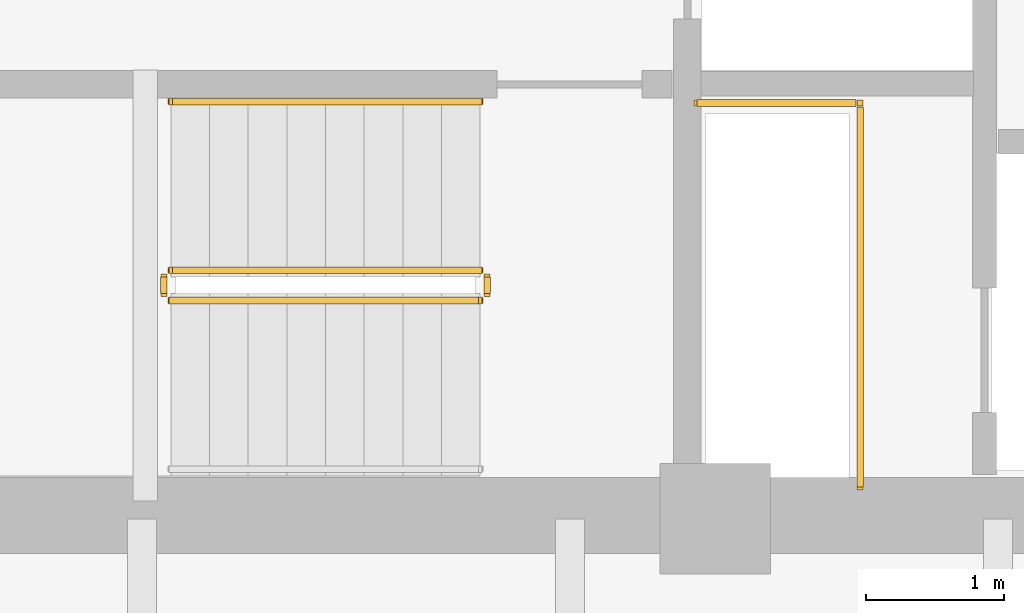
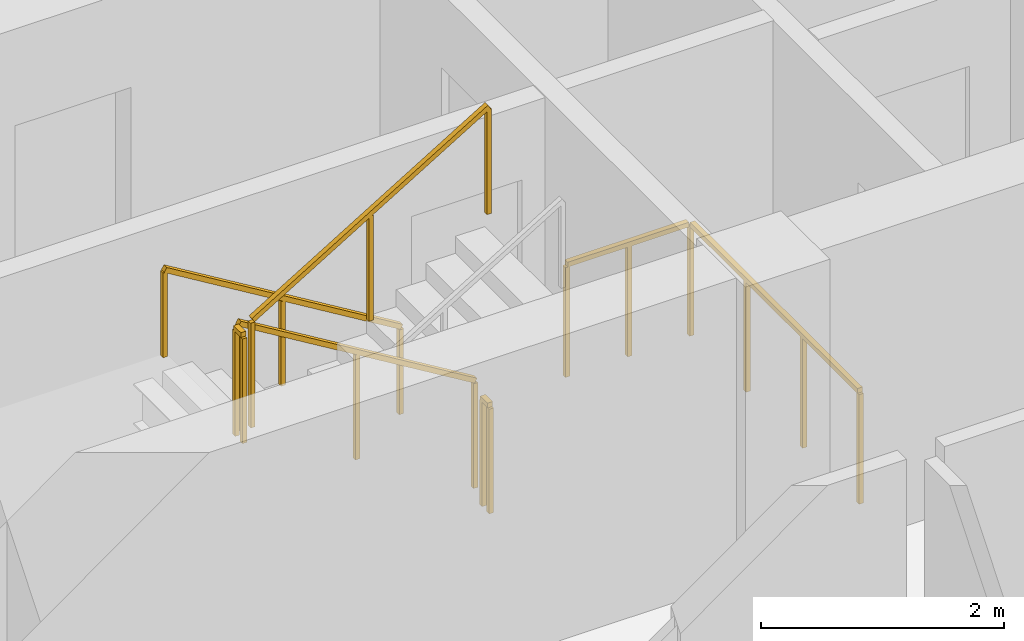
# One storey, part 8 of 12: 6 railings.
"""IFC4 building model written with IfcOpenShell, lengths in metres."""

from ifc_helpers import new_model, si_unit, direction, frame, origin, origin_2d, place, context, subcontext, project, spatial, rectangle, extrude, material, type_object, element, save


model = new_model("IFC4")

# Units and contexts
model_context = context("Model", 3, precision=1e-05, world=origin(), true_north=direction((0.0, 1.0)))
body_context = subcontext(model_context, "Body", "Model", "MODEL_VIEW")
ifc_project = project(units=[si_unit("LENGTHUNIT", "METRE"), si_unit("AREAUNIT", "SQUARE_METRE"), si_unit("VOLUMEUNIT", "CUBIC_METRE"), si_unit("PLANEANGLEUNIT", "RADIAN"), si_unit("MASSUNIT", "GRAM", prefix="KILO")], contexts=[model_context])

# Site, building, storey
site_placement = place(None, origin())
site = spatial("IfcSite", under=ifc_project, at=site_placement, CompositionType="ELEMENT")
building_placement = place(site_placement, origin())
building = spatial("IfcBuilding", under=site, at=building_placement, Name="Qhalaya Broadcast Tower", CompositionType="ELEMENT")
storey_placement = place(building_placement, frame((0.0, 0.0, 41.35009765625)))
storey = spatial("IfcBuildingStorey", under=building, at=storey_placement, Name="L11", CompositionType="ELEMENT", Elevation=41.35009765625)

# Railings
ifc_material = material(Name="Powder-Coated Galvanised Steel", Category="steel")
railing_type_1 = type_object("IfcRailingType", Name="Stair Wall Handrail 900", PredefinedType="HANDRAIL", material=ifc_material)
railing_1_placement = place(storey_placement, frame((-3.75, -5.72998046875, 0.16943359375)))
element("IfcRailing", 1, at=railing_1_placement, inside=storey, type_object=railing_type_1, Name="L11 ST-2 Stair Handrail 1", PredefinedType="HANDRAIL", context=body_context, shape_type="SweptSolid", body=[
    extrude(rectangle(XDim=0.048095703125, YDim=0.048095703125, at=origin_2d()), frame((0.0, 0.0, 0.8759765625), z_axis=(-0.855553338991, 0.0, 0.51771467445), x_axis=(0.0, -1.0, 0.0)), (0.0, 0.0, 1.0), 2.6181640625),
    extrude(rectangle(XDim=0.0419921875, YDim=0.0419921875, at=origin_2d()), origin(), (0.0, 0.0, 1.0), 0.849853515625),
    extrude(rectangle(XDim=0.0419921875, YDim=0.0419921875, at=origin_2d()), frame((-1.1201171875, 0.0, 0.677734375)), (0.0, 0.0, 1.0), 0.849853515625),
    extrude(rectangle(XDim=0.0419921875, YDim=0.0419921875, at=origin_2d()), frame((-2.239990234375, 0.0, 1.35546875)), (0.0, 0.0, 1.0), 0.849853515625),
])
railing_type_2 = type_object("IfcRailingType", Name="Stair Well & Landing Guardrail 1100", PredefinedType="GUARDRAIL", material=ifc_material)
railing_2_placement = place(storey_placement, frame((-1.0, -8.52001953125, 0.0)))
element("IfcRailing", 2, at=railing_2_placement, inside=storey, type_object=railing_type_2, Name="L11 Service Riser Opening Safety Guard SRSR", PredefinedType="GUARDRAIL", context=body_context, shape_type="SweptSolid", body=[
    extrude(rectangle(XDim=0.048095703125, YDim=0.048095703125, at=origin_2d()), frame((0.0, 0.0, 1.1259765625), z_axis=(0.0, 1.0, 0.0), x_axis=(-1.0, 0.0, 0.0)), (0.0, 0.0, 1.0), 2.751220703125),
    extrude(rectangle(XDim=0.048095703125, YDim=0.048095703125, at=origin_2d()), frame((-0.02880859375, 2.780029296875, 1.1259765625), z_axis=(-1.0, 0.0, 0.0), x_axis=(0.0, -1.0, 0.0)), (0.0, 0.0, 1.0), 1.151123046875),
    extrude(rectangle(XDim=0.0419921875, YDim=0.0419921875, at=origin_2d()), origin(), (0.0, 0.0, 1.0), 1.099853515625),
    extrude(rectangle(XDim=0.0419921875, YDim=0.0419921875, at=origin_2d()), frame((0.0, 0.9267578125, 0.0)), (0.0, 0.0, 1.0), 1.099853515625),
    extrude(rectangle(XDim=0.0419921875, YDim=0.0419921875, at=origin_2d()), frame((0.0, 1.853271484375, 0.0)), (0.0, 0.0, 1.0), 1.099853515625),
    extrude(rectangle(XDim=0.0419921875, YDim=0.0419921875, at=origin_2d()), frame((0.0, 2.780029296875, 0.0)), (0.0, 0.0, 1.0), 1.099853515625),
    extrude(rectangle(XDim=0.0419921875, YDim=0.0419921875, at=origin_2d()), frame((-0.58984375, 2.780029296875, 0.0)), (0.0, 0.0, 1.0), 1.099853515625),
    extrude(rectangle(XDim=0.0419921875, YDim=0.0419921875, at=origin_2d()), frame((-1.179931640625, 2.780029296875, 0.0)), (0.0, 0.0, 1.0), 1.099853515625),
])
railing_3_placement = place(storey_placement, frame((-3.75, -6.949951171875, 0.16943359375)))
element("IfcRailing", 3, at=railing_3_placement, inside=storey, type_object=railing_type_2, Name="L11 ST-2 Stair Guard 1", PredefinedType="GUARDRAIL", context=body_context, shape_type="SweptSolid", body=[
    extrude(rectangle(XDim=0.048095703125, YDim=0.048095703125, at=origin_2d()), frame((0.0, 0.0, 1.076171875), z_axis=(-0.855553338991, 0.0, 0.51771467445), x_axis=(0.0, -1.0, 0.0)), (0.0, 0.0, 1.0), 2.6181640625),
    extrude(rectangle(XDim=0.0419921875, YDim=0.0419921875, at=origin_2d()), origin(), (0.0, 0.0, 1.0), 1.050048828125),
    extrude(rectangle(XDim=0.0419921875, YDim=0.0419921875, at=origin_2d()), frame((-1.1201171875, 0.0, 0.677734375)), (0.0, 0.0, 1.0), 1.050048828125),
    extrude(rectangle(XDim=0.0419921875, YDim=0.0419921875, at=origin_2d()), frame((-2.239990234375, 0.0, 1.35546875)), (0.0, 0.0, 1.0), 1.050048828125),
])
railing_4_placement = place(storey_placement, frame((-6.0400390625, -7.0, 1.52490234375)))
element("IfcRailing", 4, at=railing_4_placement, inside=storey, type_object=railing_type_2, Name="L11 ST-2 Stair Guard 2", PredefinedType="GUARDRAIL", context=body_context, shape_type="SweptSolid", body=[
    extrude(rectangle(XDim=0.048095703125, YDim=0.048095703125, at=origin_2d()), frame((0.0, 0.0, 1.076171875), z_axis=(0.0, -1.0, 0.0), x_axis=(1.0, 0.0, 0.0)), (0.0, 0.0, 1.0), 0.1201171875),
    extrude(rectangle(XDim=0.0419921875, YDim=0.0419921875, at=origin_2d()), origin(), (0.0, 0.0, 1.0), 1.050048828125),
    extrude(rectangle(XDim=0.0419921875, YDim=0.0419921875, at=origin_2d()), frame((0.0, -0.1201171875, 0.0)), (0.0, 0.0, 1.0), 1.050048828125),
])
railing_5_placement = place(storey_placement, frame((-5.989990234375, -7.169921875, 1.6943359375)))
element("IfcRailing", 5, at=railing_5_placement, inside=storey, type_object=railing_type_2, Name="L11 ST-2 Stair Guard 3", PredefinedType="GUARDRAIL", context=body_context, shape_type="SweptSolid", body=[
    extrude(rectangle(XDim=0.048095703125, YDim=0.048095703125, at=origin_2d()), frame((0.0, 0.0, 1.076171875), z_axis=(0.855553338991, 0.0, 0.51771467445), x_axis=(0.0, 1.0, 0.0)), (0.0, 0.0, 1.0), 2.6181640625),
    extrude(rectangle(XDim=0.0419921875, YDim=0.0419921875, at=origin_2d()), origin(), (0.0, 0.0, 1.0), 1.050048828125),
    extrude(rectangle(XDim=0.0419921875, YDim=0.0419921875, at=origin_2d()), frame((1.1201171875, 0.0, 0.677734375)), (0.0, 0.0, 1.0), 1.050048828125),
    extrude(rectangle(XDim=0.0419921875, YDim=0.0419921875, at=origin_2d()), frame((2.239990234375, 0.0, 1.35546875)), (0.0, 0.0, 1.0), 1.050048828125),
])
railing_6_placement = place(storey_placement, frame((-3.699951171875, -7.0, 0.0)))
element("IfcRailing", 6, at=railing_6_placement, inside=storey, type_object=railing_type_2, Name="L11 ST-2 Stair Guard 4", PredefinedType="GUARDRAIL", context=body_context, shape_type="SweptSolid", body=[
    extrude(rectangle(XDim=0.048095703125, YDim=0.048095703125, at=origin_2d()), frame((0.0, 0.0, 1.076171875), z_axis=(0.0, -1.0, 0.0), x_axis=(1.0, 0.0, 0.0)), (0.0, 0.0, 1.0), 0.1201171875),
    extrude(rectangle(XDim=0.0419921875, YDim=0.0419921875, at=origin_2d()), origin(), (0.0, 0.0, 1.0), 1.050048828125),
    extrude(rectangle(XDim=0.0419921875, YDim=0.0419921875, at=origin_2d()), frame((0.0, -0.1201171875, 0.0)), (0.0, 0.0, 1.0), 1.050048828125),
])

save(model, "model.ifc")
